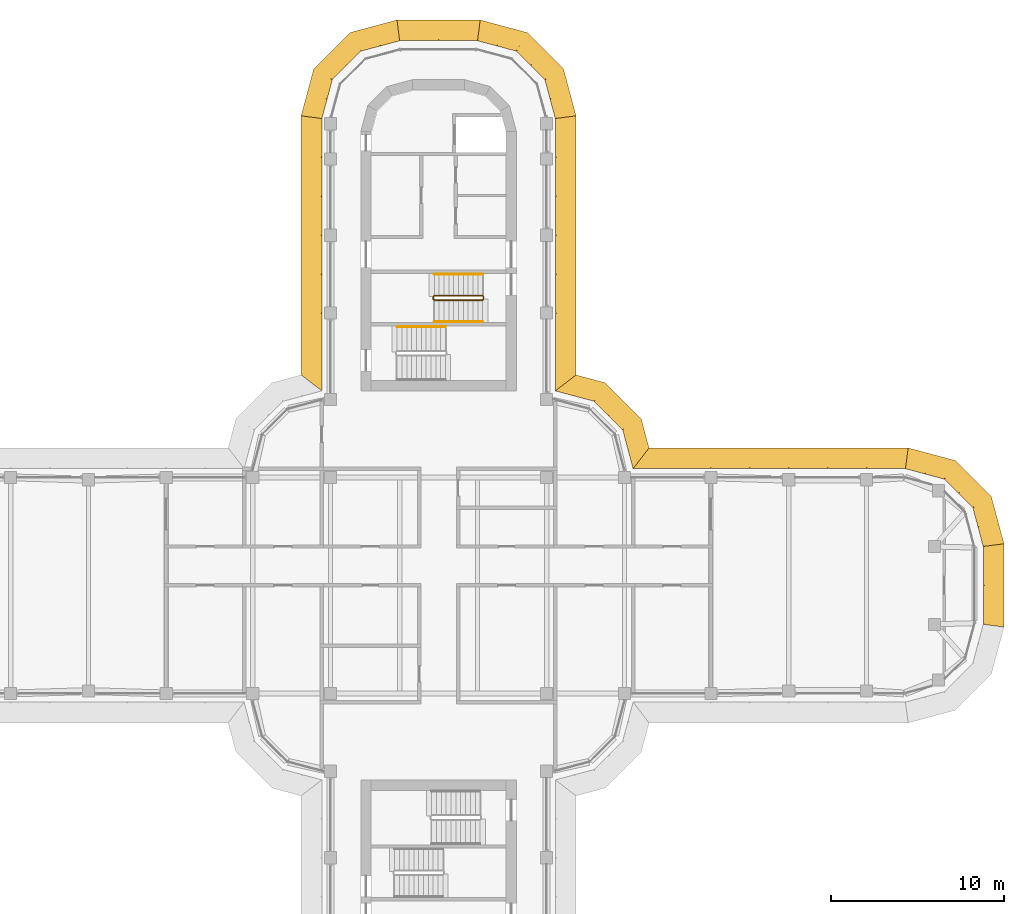
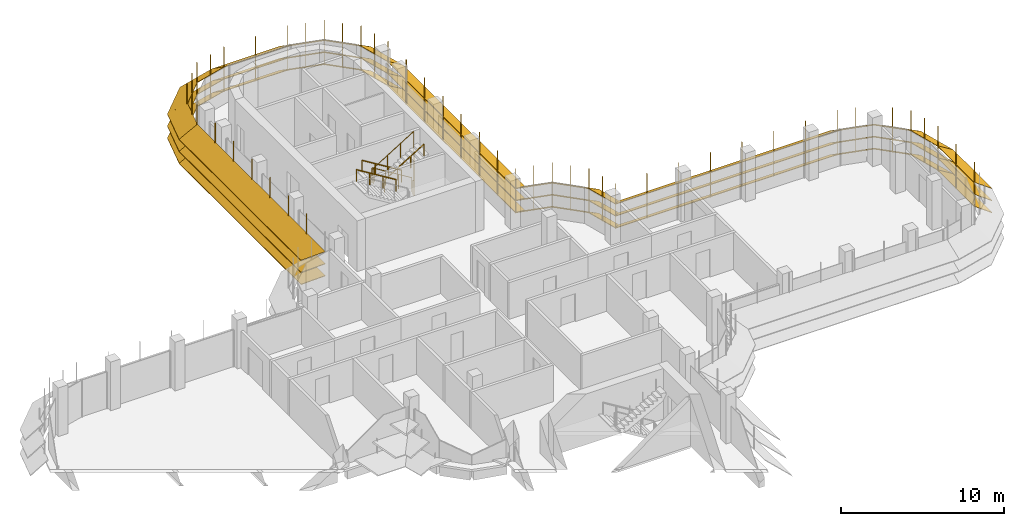
# One storey, part 18 of 18: 9 shading devices, 4 railings.
"""IFC4 building model written with IfcOpenShell, lengths in metres."""

from ifc_helpers import new_model, si_unit, direction, frame, origin, origin_2d, place, context, subcontext, project, spatial, polyline, circle, outline, extrude, faceted_brep, source, transform, mapped, material, type_object, element, save


model = new_model("IFC4")

# Units and contexts
model_context = context("Model", 3, precision=1e-05, world=origin(), true_north=direction((0.0, 1.0)))
body_context = subcontext(model_context, "Body", "Model", "MODEL_VIEW")
ifc_project = project(units=[si_unit("LENGTHUNIT", "METRE"), si_unit("AREAUNIT", "SQUARE_METRE"), si_unit("VOLUMEUNIT", "CUBIC_METRE"), si_unit("PLANEANGLEUNIT", "RADIAN"), si_unit("MASSUNIT", "GRAM", prefix="KILO")], contexts=[model_context])

# Site, building, storey
site_placement = place(None, origin())
site = spatial("IfcSite", under=ifc_project, at=site_placement, CompositionType="ELEMENT")
building_placement = place(site_placement, origin())
building = spatial("IfcBuilding", under=site, at=building_placement, Name="Zarbagh Exchange Tower", CompositionType="ELEMENT")
storey_placement = place(building_placement, frame((0.0, 0.0, 214.39990234375)))
storey = spatial("IfcBuildingStorey", under=building, at=storey_placement, Name="L52", CompositionType="ELEMENT", Elevation=214.39990234375)

# Railings
ifc_material_1 = material(Name="Stainless steel", Category="steel")
railing_type_1 = type_object("IfcRailingType", Name="Stair guard 1100 mm", PredefinedType="GUARDRAIL", material=ifc_material_1)
railing_1_placement = place(storey_placement, frame((2.550048828125, 16.75, 0.1728515625)))
element("IfcRailing", 1, at=railing_1_placement, inside=storey, type_object=railing_type_1, Name="ST1 stair guard 1", PredefinedType="GUARDRAIL", context=body_context, shape_type="SweptSolid", body=[
    extrude(circle(Radius=0.02392578125, at=origin_2d()), frame((0.0, 0.0, 1.076171875), z_axis=(-0.851089632645, 0.0, 0.525020415988), x_axis=(0.0, -1.0, 0.0)), (0.0, 0.0, 1.0), 3.2900390625),
    extrude(circle(Radius=0.02392578125, at=origin_2d()), frame((-2.800048828125, 0.0, 2.80322265625), z_axis=(-0.707106781187, -0.707106781187, 0.0), x_axis=(0.707106781187, -0.707106781187, 0.0)), (0.0, 0.0, 1.0), 0.07080078125),
    extrude(circle(Radius=0.02392578125, at=origin_2d()), frame((-2.85009765625, -0.050048828125, 2.80322265625), z_axis=(0.0, -1.0, 0.0), x_axis=(1.0, 0.0, 0.0)), (0.0, 0.0, 1.0), 0.14990234375),
    extrude(circle(Radius=0.02392578125, at=origin_2d()), frame((-2.85009765625, -0.199951171875, 2.80322265625), z_axis=(0.268277960024, -0.268277960024, 0.925231793839), x_axis=(0.707106781187, 0.707106781187, 0.0)), (0.0, 0.0, 1.0), 0.1865234375),
    extrude(circle(Radius=0.02392578125, at=origin_2d()), frame((-2.800048828125, -0.25, 2.97607421875), z_axis=(0.851089632645, 0.0, 0.525020415988), x_axis=(0.0, 1.0, 0.0)), (0.0, 0.0, 1.0), 3.2900390625),
    extrude(circle(Radius=0.02392578125, at=origin_2d()), frame((0.0, -0.25, 4.703125), z_axis=(0.013168290981, 0.013168290981, -0.999826581076), x_axis=(-0.707106781187, 0.707106781187, 0.0)), (0.0, 0.0, 1.0), 3.80078125),
    extrude(circle(Radius=0.02392578125, at=origin_2d()), frame((0.050048828125, -0.199951171875, 0.9033203125), z_axis=(0.0, 1.0, 0.0), x_axis=(-1.0, 0.0, 0.0)), (0.0, 0.0, 1.0), 0.14990234375),
    extrude(circle(Radius=0.02099609375, at=origin_2d()), origin(), (0.0, 0.0, 1.0), 1.052001953125),
    extrude(circle(Radius=0.02099609375, at=origin_2d()), frame((-0.933349609375, 0.0, 0.57568359375)), (0.0, 0.0, 1.0), 1.052001953125),
    extrude(circle(Radius=0.02099609375, at=origin_2d()), frame((-1.86669921875, 0.0, 1.151611328125)), (0.0, 0.0, 1.0), 1.052001953125),
    extrude(circle(Radius=0.02099609375, at=origin_2d()), frame((-2.800048828125, 0.0, 1.727294921875)), (0.0, 0.0, 1.0), 1.052001953125),
    extrude(circle(Radius=0.02099609375, at=origin_2d()), frame((-2.85009765625, -0.050048828125, 1.727294921875)), (0.0, 0.0, 1.0), 1.052001953125),
    extrude(circle(Radius=0.02099609375, at=origin_2d()), frame((-2.85009765625, -0.199951171875, 1.727294921875)), (0.0, 0.0, 1.0), 1.052001953125),
    extrude(circle(Radius=0.02099609375, at=origin_2d()), frame((-2.800048828125, -0.25, 1.89990234375)), (0.0, 0.0, 1.0), 1.052001953125),
    extrude(circle(Radius=0.02099609375, at=origin_2d()), frame((-1.86669921875, -0.25, 2.4755859375)), (0.0, 0.0, 1.0), 1.052001953125),
    extrude(circle(Radius=0.02099609375, at=origin_2d()), frame((-0.933349609375, -0.25, 3.051513671875)), (0.0, 0.0, 1.0), 1.052001953125),
    extrude(circle(Radius=0.02099609375, at=origin_2d()), frame((0.0, -0.25, 3.627197265625)), (0.0, 0.0, 1.0), 1.052001953125),
    extrude(circle(Radius=0.02099609375, at=origin_2d()), frame((0.012451171875, -0.237548828125, 2.67724609375)), (0.0, 0.0, 1.0), 1.052001953125),
    extrude(circle(Radius=0.02099609375, at=origin_2d()), frame((0.02490234375, -0.22509765625, 1.72705078125)), (0.0, 0.0, 1.0), 1.052001953125),
    extrude(circle(Radius=0.02099609375, at=origin_2d()), frame((0.03759765625, -0.21240234375, 0.777099609375)), (0.0, 0.0, 1.0), 1.052001953125),
    extrude(circle(Radius=0.02099609375, at=origin_2d()), frame((0.050048828125, -0.199951171875, -0.1728515625)), (0.0, 0.0, 1.0), 1.052001953125),
    extrude(circle(Radius=0.02099609375, at=origin_2d()), frame((0.050048828125, -0.050048828125, -0.1728515625)), (0.0, 0.0, 1.0), 1.052001953125),
])
railing_type_2 = type_object("IfcRailingType", Name="Stair handrail 900 mm", PredefinedType="HANDRAIL", material=ifc_material_1)
railing_2_placement = place(storey_placement, frame((2.550048828125, 18.0, 0.1728515625)))
element("IfcRailing", 2, at=railing_2_placement, inside=storey, type_object=railing_type_2, Name="ST1 stair handrail 1", PredefinedType="HANDRAIL", context=body_context, shape_type="SweptSolid", body=[
    extrude(circle(Radius=0.02392578125, at=origin_2d()), frame((0.0, 0.0, 0.8759765625), z_axis=(-0.851089632645, 0.0, 0.525020415988), x_axis=(0.0, -1.0, 0.0)), (0.0, 0.0, 1.0), 3.2900390625),
    extrude(circle(Radius=0.02099609375, at=origin_2d()), origin(), (0.0, 0.0, 1.0), 0.851806640625),
    extrude(circle(Radius=0.02099609375, at=origin_2d()), frame((-0.933349609375, 0.0, 0.57568359375)), (0.0, 0.0, 1.0), 0.851806640625),
    extrude(circle(Radius=0.02099609375, at=origin_2d()), frame((-1.86669921875, 0.0, 1.151611328125)), (0.0, 0.0, 1.0), 0.851806640625),
    extrude(circle(Radius=0.02099609375, at=origin_2d()), frame((-2.800048828125, 0.0, 1.727294921875)), (0.0, 0.0, 1.0), 0.851806640625),
])
railing_3_placement = place(storey_placement, frame((-0.25, 15.25, 2.07275390625)))
element("IfcRailing", 3, at=railing_3_placement, inside=storey, type_object=railing_type_2, Name="ST1 stair handrail 2", PredefinedType="HANDRAIL", context=body_context, shape_type="SweptSolid", body=[
    extrude(circle(Radius=0.02392578125, at=origin_2d()), frame((0.0, 0.0, 0.8759765625), z_axis=(0.851089632645, 0.0, 0.525020415988), x_axis=(0.0, 1.0, 0.0)), (0.0, 0.0, 1.0), 3.2900390625),
    extrude(circle(Radius=0.02099609375, at=origin_2d()), origin(), (0.0, 0.0, 1.0), 0.851806640625),
    extrude(circle(Radius=0.02099609375, at=origin_2d()), frame((0.933349609375, 0.0, 0.57568359375)), (0.0, 0.0, 1.0), 0.851806640625),
    extrude(circle(Radius=0.02099609375, at=origin_2d()), frame((1.86669921875, 0.0, 1.151611328125)), (0.0, 0.0, 1.0), 0.851806640625),
    extrude(circle(Radius=0.02099609375, at=origin_2d()), frame((2.800048828125, 0.0, 1.727294921875)), (0.0, 0.0, 1.0), 0.851806640625),
])
railing_4_placement = place(storey_placement, frame((0.39990234375, 14.949951171875, 2.07275390625)))
element("IfcRailing", 4, at=railing_4_placement, inside=storey, type_object=railing_type_2, Name="ST2 stair handrail 2", PredefinedType="HANDRAIL", context=body_context, shape_type="SweptSolid", body=[
    extrude(circle(Radius=0.02392578125, at=origin_2d()), frame((0.0, 0.0, 0.8759765625), z_axis=(-0.851069175582, 0.0, 0.525053576669), x_axis=(0.0, -1.0, 0.0)), (0.0, 0.0, 1.0), 3.289794921875),
    extrude(circle(Radius=0.02099609375, at=origin_2d()), origin(), (0.0, 0.0, 1.0), 0.851806640625),
    extrude(circle(Radius=0.02099609375, at=origin_2d()), frame((-0.933349609375, 0.0, 0.57568359375)), (0.0, 0.0, 1.0), 0.851806640625),
    extrude(circle(Radius=0.02099609375, at=origin_2d()), frame((-1.866455078125, 0.0, 1.151611328125)), (0.0, 0.0, 1.0), 0.851806640625),
    extrude(circle(Radius=0.02099609375, at=origin_2d()), frame((-2.7998046875, 0.0, 1.727294921875)), (0.0, 0.0, 1.0), 0.851806640625),
])

# Shading devices
ifc_material_2 = material(Name="Anodised aluminium blades and brackets", Category="aluminium")
shading_device_type = type_object("IfcShadingDeviceType", Name="SUNSHADE louvre band, 33.75 degree blades", PredefinedType="JALOUSIE", material=ifc_material_2)
shared_shape_1 = source(origin(), body_context, "Body", "Brep", [
    faceted_brep([(0.0, 0.0, 0.0), (0.0, 0.0, -0.048095703125), (-0.157958984375, -1.199951171875, -0.849853515625), (-0.157958984375, -1.199951171875, -0.8017578125), (2.65087890625, -1.199951171875, -0.8017578125), (2.65087890625, -1.199951171875, -0.849853515625), (2.329345703125, 0.0, -0.048095703125), (2.329345703125, 0.0, 0.0)], [[[0, 1, 2, 3]], [[4, 5, 6, 7]], [[0, 7, 6, 1]], [[1, 6, 5, 2]], [[2, 5, 4, 3]], [[3, 4, 7, 0]]]),
])
shared_shape_2 = source(origin(), body_context, "Body", "Brep", [
    faceted_brep([(0.0, 0.0, 0.0), (0.0, 0.0, -0.048095703125), (-0.321533203125, -1.199951171875, -0.849853515625), (-0.321533203125, -1.199951171875, -0.8017578125), (2.65087890625, -1.199951171875, -0.8017578125), (2.65087890625, -1.199951171875, -0.849853515625), (2.329345703125, 0.0, -0.048095703125), (2.329345703125, 0.0, 0.0)], [[[0, 1, 2, 3]], [[4, 5, 6, 7]], [[0, 7, 6, 1]], [[1, 6, 5, 2]], [[2, 5, 4, 3]], [[3, 4, 7, 0]]]),
])
shared_shape_3 = source(origin(), body_context, "Body", "Brep", [
    faceted_brep([(0.0, 0.0, 0.0), (0.0, 0.0, -0.048095703125), (-0.321533203125, -1.199951171875, -0.849853515625), (-0.321533203125, -1.199951171875, -0.8017578125), (2.4873046875, -1.199951171875, -0.8017578125), (2.4873046875, -1.199951171875, -0.849853515625), (2.329345703125, 0.0, -0.048095703125), (2.329345703125, 0.0, 0.0)], [[[0, 1, 2, 3]], [[4, 5, 6, 7]], [[0, 7, 6, 1]], [[1, 6, 5, 2]], [[2, 5, 4, 3]], [[3, 4, 7, 0]]]),
])
shared_shape_4 = source(origin(), body_context, "Body", "SweptSolid", [
    extrude(outline(polyline([(0.0, -0.012451171875), (0.06005859375, -0.012451171875), (0.06005859375, 0.012451171875), (0.0, 0.012451171875), (0.0, -0.012451171875)])), origin(), (0.0, 0.0, 1.0), 3.358154296875),
])
placement = place(storey_placement, origin())
element("IfcShadingDevice", 5, at=placement, inside=storey, type_object=shading_device_type, Name="SS33 sunshade band", PredefinedType="JALOUSIE", context=body_context, shape_type="MappedRepresentation", body=[
    mapped(shared_shape_1, transform((31.5, 2.25, 2.300048828125), x_axis=(-0.258824779902, 0.965924289636, 0.0), y_axis=(-0.965924289636, -0.258824779902, 0.0), z_axis=(0.0, 0.0, 1.0))),
    mapped(shared_shape_1, transform((31.5, 2.25, 1.400146484375), x_axis=(-0.258824779902, 0.965924289636, 0.0), y_axis=(-0.965924289636, -0.258824779902, 0.0), z_axis=(0.0, 0.0, 1.0))),
    mapped(shared_shape_1, transform((31.5, 2.25, 0.5), x_axis=(-0.258824779902, 0.965924289636, 0.0), y_axis=(-0.965924289636, -0.258824779902, 0.0), z_axis=(0.0, 0.0, 1.0))),
    mapped(shared_shape_2, transform((30.897216796875, 4.5, 2.300048828125), x_axis=(-0.707106781187, 0.707106781187, 0.0), y_axis=(-0.707106781187, -0.707106781187, 0.0), z_axis=(0.0, 0.0, 1.0))),
    mapped(shared_shape_2, transform((30.897216796875, 4.5, 1.400146484375), x_axis=(-0.707106781187, 0.707106781187, 0.0), y_axis=(-0.707106781187, -0.707106781187, 0.0), z_axis=(0.0, 0.0, 1.0))),
    mapped(shared_shape_2, transform((30.897216796875, 4.5, 0.5), x_axis=(-0.707106781187, 0.707106781187, 0.0), y_axis=(-0.707106781187, -0.707106781187, 0.0), z_axis=(0.0, 0.0, 1.0))),
    mapped(shared_shape_3, transform((29.25, 6.147216796875, 2.300048828125), x_axis=(-0.965924289636, 0.258824779902, 0.0), y_axis=(-0.258824779902, -0.965924289636, 0.0), z_axis=(0.0, 0.0, 1.0))),
    mapped(shared_shape_3, transform((29.25, 6.147216796875, 1.400146484375), x_axis=(-0.965924289636, 0.258824779902, 0.0), y_axis=(-0.258824779902, -0.965924289636, 0.0), z_axis=(0.0, 0.0, 1.0))),
    mapped(shared_shape_3, transform((29.25, 6.147216796875, 0.5), x_axis=(-0.965924289636, 0.258824779902, 0.0), y_axis=(-0.258824779902, -0.965924289636, 0.0), z_axis=(0.0, 0.0, 1.0))),
    mapped(shared_shape_4, transform((31.5, 2.25, 0.421875), x_axis=(0.991444457092, 0.130529263012, 0.0), y_axis=(-0.130529263012, 0.991444457092, 0.0), z_axis=(0.0, 0.0, 1.0))),
    mapped(shared_shape_4, transform((31.198486328125, 3.375, 0.421875), x_axis=(0.96592421511, 0.258825058029, 0.0), y_axis=(-0.258825058029, 0.96592421511, 0.0), z_axis=(0.0, 0.0, 1.0))),
    mapped(shared_shape_4, transform((30.897216796875, 4.5, 0.421875), x_axis=(0.866023812018, 0.50000275701, 0.0), y_axis=(-0.50000275701, 0.866023812018, 0.0), z_axis=(0.0, 0.0, 1.0))),
    mapped(shared_shape_4, transform((30.073486328125, 5.323486328125, 0.421875), x_axis=(0.707106781187, 0.707106781187, 0.0), y_axis=(-0.707106781187, 0.707106781187, 0.0), z_axis=(0.0, 0.0, 1.0))),
    mapped(shared_shape_4, transform((29.25, 6.147216796875, 0.421875), x_axis=(0.50000275701, 0.866023812018, 0.0), y_axis=(-0.866023812018, 0.50000275701, 0.0), z_axis=(0.0, 0.0, 1.0))),
    mapped(shared_shape_4, transform((28.125, 6.448486328125, 0.421875), x_axis=(0.258825058029, 0.96592421511, 0.0), y_axis=(-0.96592421511, 0.258825058029, 0.0), z_axis=(0.0, 0.0, 1.0))),
])
element("IfcShadingDevice", 6, at=placement, inside=storey, type_object=shading_device_type, Name="SS26 sunshade band", PredefinedType="JALOUSIE", context=body_context, shape_type="MappedRepresentation", body=[
    mapped(shared_shape_1, transform((6.75, 27.0, 2.300048828125), x_axis=(-0.258824779902, 0.965924289636, 0.0), y_axis=(-0.965924289636, -0.258824779902, 0.0), z_axis=(0.0, 0.0, 1.0))),
    mapped(shared_shape_1, transform((6.75, 27.0, 1.400146484375), x_axis=(-0.258824779902, 0.965924289636, 0.0), y_axis=(-0.965924289636, -0.258824779902, 0.0), z_axis=(0.0, 0.0, 1.0))),
    mapped(shared_shape_1, transform((6.75, 27.0, 0.5), x_axis=(-0.258824779902, 0.965924289636, 0.0), y_axis=(-0.965924289636, -0.258824779902, 0.0), z_axis=(0.0, 0.0, 1.0))),
    mapped(shared_shape_2, transform((6.147216796875, 29.25, 2.300048828125), x_axis=(-0.707106781187, 0.707106781187, 0.0), y_axis=(-0.707106781187, -0.707106781187, 0.0), z_axis=(0.0, 0.0, 1.0))),
    mapped(shared_shape_2, transform((6.147216796875, 29.25, 1.400146484375), x_axis=(-0.707106781187, 0.707106781187, 0.0), y_axis=(-0.707106781187, -0.707106781187, 0.0), z_axis=(0.0, 0.0, 1.0))),
    mapped(shared_shape_2, transform((6.147216796875, 29.25, 0.5), x_axis=(-0.707106781187, 0.707106781187, 0.0), y_axis=(-0.707106781187, -0.707106781187, 0.0), z_axis=(0.0, 0.0, 1.0))),
    mapped(shared_shape_3, transform((4.5, 30.897216796875, 2.300048828125), x_axis=(-0.965924289636, 0.258824779902, 0.0), y_axis=(-0.258824779902, -0.965924289636, 0.0), z_axis=(0.0, 0.0, 1.0))),
    mapped(shared_shape_3, transform((4.5, 30.897216796875, 1.400146484375), x_axis=(-0.965924289636, 0.258824779902, 0.0), y_axis=(-0.258824779902, -0.965924289636, 0.0), z_axis=(0.0, 0.0, 1.0))),
    mapped(shared_shape_3, transform((4.5, 30.897216796875, 0.5), x_axis=(-0.965924289636, 0.258824779902, 0.0), y_axis=(-0.258824779902, -0.965924289636, 0.0), z_axis=(0.0, 0.0, 1.0))),
    mapped(shared_shape_4, transform((6.75, 27.0, 0.421875), x_axis=(0.991444457092, 0.130529263012, 0.0), y_axis=(-0.130529263012, 0.991444457092, 0.0), z_axis=(0.0, 0.0, 1.0))),
    mapped(shared_shape_4, transform((6.448486328125, 28.125, 0.421875), x_axis=(0.96592421511, 0.258825058029, 0.0), y_axis=(-0.258825058029, 0.96592421511, 0.0), z_axis=(0.0, 0.0, 1.0))),
    mapped(shared_shape_4, transform((6.147216796875, 29.25, 0.421875), x_axis=(0.866023812018, 0.50000275701, 0.0), y_axis=(-0.50000275701, 0.866023812018, 0.0), z_axis=(0.0, 0.0, 1.0))),
    mapped(shared_shape_4, transform((5.323486328125, 30.073486328125, 0.421875), x_axis=(0.707106781187, 0.707106781187, 0.0), y_axis=(-0.707106781187, 0.707106781187, 0.0), z_axis=(0.0, 0.0, 1.0))),
    mapped(shared_shape_4, transform((4.5, 30.897216796875, 0.421875), x_axis=(0.50000275701, 0.866023812018, 0.0), y_axis=(-0.866023812018, 0.50000275701, 0.0), z_axis=(0.0, 0.0, 1.0))),
    mapped(shared_shape_4, transform((3.375, 31.198486328125, 0.421875), x_axis=(0.258825058029, 0.96592421511, 0.0), y_axis=(-0.96592421511, 0.258825058029, 0.0), z_axis=(0.0, 0.0, 1.0))),
])
element("IfcShadingDevice", 7, at=placement, inside=storey, type_object=shading_device_type, Name="SS28 sunshade band", PredefinedType="JALOUSIE", context=body_context, shape_type="MappedRepresentation", body=[
    mapped(shared_shape_1, transform((-2.25, 31.5, 2.300048828125), x_axis=(-0.965924289636, -0.258824779902, 0.0), y_axis=(0.258824779902, -0.965924289636, 0.0), z_axis=(0.0, 0.0, 1.0))),
    mapped(shared_shape_1, transform((-2.25, 31.5, 1.400146484375), x_axis=(-0.965924289636, -0.258824779902, 0.0), y_axis=(0.258824779902, -0.965924289636, 0.0), z_axis=(0.0, 0.0, 1.0))),
    mapped(shared_shape_1, transform((-2.25, 31.5, 0.5), x_axis=(-0.965924289636, -0.258824779902, 0.0), y_axis=(0.258824779902, -0.965924289636, 0.0), z_axis=(0.0, 0.0, 1.0))),
    mapped(shared_shape_2, transform((-4.5, 30.897216796875, 2.300048828125), x_axis=(-0.707106781187, -0.707106781187, 0.0), y_axis=(0.707106781187, -0.707106781187, 0.0), z_axis=(0.0, 0.0, 1.0))),
    mapped(shared_shape_2, transform((-4.5, 30.897216796875, 1.400146484375), x_axis=(-0.707106781187, -0.707106781187, 0.0), y_axis=(0.707106781187, -0.707106781187, 0.0), z_axis=(0.0, 0.0, 1.0))),
    mapped(shared_shape_2, transform((-4.5, 30.897216796875, 0.5), x_axis=(-0.707106781187, -0.707106781187, 0.0), y_axis=(0.707106781187, -0.707106781187, 0.0), z_axis=(0.0, 0.0, 1.0))),
    mapped(shared_shape_3, transform((-6.147216796875, 29.25, 2.300048828125), x_axis=(-0.258824779902, -0.965924289636, 0.0), y_axis=(0.965924289636, -0.258824779902, 0.0), z_axis=(0.0, 0.0, 1.0))),
    mapped(shared_shape_3, transform((-6.147216796875, 29.25, 1.400146484375), x_axis=(-0.258824779902, -0.965924289636, 0.0), y_axis=(0.965924289636, -0.258824779902, 0.0), z_axis=(0.0, 0.0, 1.0))),
    mapped(shared_shape_3, transform((-6.147216796875, 29.25, 0.5), x_axis=(-0.258824779902, -0.965924289636, 0.0), y_axis=(0.965924289636, -0.258824779902, 0.0), z_axis=(0.0, 0.0, 1.0))),
    mapped(shared_shape_4, transform((-2.25, 31.5, 0.421875), x_axis=(-0.130529263012, 0.991444457092, 0.0), y_axis=(-0.991444457092, -0.130529263012, 0.0), z_axis=(0.0, 0.0, 1.0))),
    mapped(shared_shape_4, transform((-3.375, 31.198486328125, 0.421875), x_axis=(-0.258825058029, 0.96592421511, 0.0), y_axis=(-0.96592421511, -0.258825058029, 0.0), z_axis=(0.0, 0.0, 1.0))),
    mapped(shared_shape_4, transform((-4.5, 30.897216796875, 0.421875), x_axis=(-0.50000275701, 0.866023812018, 0.0), y_axis=(-0.866023812018, -0.50000275701, 0.0), z_axis=(0.0, 0.0, 1.0))),
    mapped(shared_shape_4, transform((-5.323486328125, 30.073486328125, 0.421875), x_axis=(-0.707106781187, 0.707106781187, 0.0), y_axis=(-0.707106781187, -0.707106781187, 0.0), z_axis=(0.0, 0.0, 1.0))),
    mapped(shared_shape_4, transform((-6.147216796875, 29.25, 0.421875), x_axis=(-0.866023812018, 0.50000275701, 0.0), y_axis=(-0.50000275701, -0.866023812018, 0.0), z_axis=(0.0, 0.0, 1.0))),
    mapped(shared_shape_4, transform((-6.448486328125, 28.125, 0.421875), x_axis=(-0.96592421511, 0.258825058029, 0.0), y_axis=(-0.258825058029, -0.96592421511, 0.0), z_axis=(0.0, 0.0, 1.0))),
])
shared_shape_5 = source(origin(), body_context, "Body", "Brep", [
    faceted_brep([(0.0, 0.0, 0.0), (0.0, 0.0, -0.048095703125), (0.9208984375, -1.199951171875, -0.849853515625), (0.9208984375, -1.199951171875, -0.8017578125), (2.65087890625, -1.199951171875, -0.8017578125), (2.65087890625, -1.199951171875, -0.849853515625), (2.329345703125, 0.0, -0.048095703125), (2.329345703125, 0.0, 0.0)], [[[0, 1, 2, 3]], [[4, 5, 6, 7]], [[0, 7, 6, 1]], [[1, 6, 5, 2]], [[2, 5, 4, 3]], [[3, 4, 7, 0]]]),
])
shared_shape_6 = source(origin(), body_context, "Body", "Brep", [
    faceted_brep([(0.0, 0.0, 0.0), (0.0, 0.0, -0.048095703125), (-0.321533203125, -1.199951171875, -0.849853515625), (-0.321533203125, -1.199951171875, -0.8017578125), (1.40869140625, -1.199951171875, -0.8017578125), (1.40869140625, -1.199951171875, -0.849853515625), (2.329345703125, 0.0, -0.048095703125), (2.329345703125, 0.0, 0.0)], [[[0, 1, 2, 3]], [[4, 5, 6, 7]], [[0, 7, 6, 1]], [[1, 6, 5, 2]], [[2, 5, 4, 3]], [[3, 4, 7, 0]]]),
])
element("IfcShadingDevice", 8, at=placement, inside=storey, type_object=shading_device_type, Name="SS09 sunshade band", PredefinedType="JALOUSIE", context=body_context, shape_type="MappedRepresentation", body=[
    mapped(shared_shape_5, transform((11.25, 6.75, 2.300048828125), x_axis=(-0.258824779902, 0.965924289636, 0.0), y_axis=(-0.965924289636, -0.258824779902, 0.0), z_axis=(0.0, 0.0, 1.0))),
    mapped(shared_shape_5, transform((11.25, 6.75, 1.400146484375), x_axis=(-0.258824779902, 0.965924289636, 0.0), y_axis=(-0.965924289636, -0.258824779902, 0.0), z_axis=(0.0, 0.0, 1.0))),
    mapped(shared_shape_5, transform((11.25, 6.75, 0.5), x_axis=(-0.258824779902, 0.965924289636, 0.0), y_axis=(-0.965924289636, -0.258824779902, 0.0), z_axis=(0.0, 0.0, 1.0))),
    mapped(shared_shape_2, transform((10.647216796875, 9.0, 2.300048828125), x_axis=(-0.707106781187, 0.707106781187, 0.0), y_axis=(-0.707106781187, -0.707106781187, 0.0), z_axis=(0.0, 0.0, 1.0))),
    mapped(shared_shape_2, transform((10.647216796875, 9.0, 1.400146484375), x_axis=(-0.707106781187, 0.707106781187, 0.0), y_axis=(-0.707106781187, -0.707106781187, 0.0), z_axis=(0.0, 0.0, 1.0))),
    mapped(shared_shape_2, transform((10.647216796875, 9.0, 0.5), x_axis=(-0.707106781187, 0.707106781187, 0.0), y_axis=(-0.707106781187, -0.707106781187, 0.0), z_axis=(0.0, 0.0, 1.0))),
    mapped(shared_shape_6, transform((9.0, 10.647216796875, 2.300048828125), x_axis=(-0.965924289636, 0.258824779902, 0.0), y_axis=(-0.258824779902, -0.965924289636, 0.0), z_axis=(0.0, 0.0, 1.0))),
    mapped(shared_shape_6, transform((9.0, 10.647216796875, 1.400146484375), x_axis=(-0.965924289636, 0.258824779902, 0.0), y_axis=(-0.258824779902, -0.965924289636, 0.0), z_axis=(0.0, 0.0, 1.0))),
    mapped(shared_shape_6, transform((9.0, 10.647216796875, 0.5), x_axis=(-0.965924289636, 0.258824779902, 0.0), y_axis=(-0.258824779902, -0.965924289636, 0.0), z_axis=(0.0, 0.0, 1.0))),
    mapped(shared_shape_4, transform((11.25, 6.75, 0.421875), x_axis=(0.608758892, 0.793355287, 0.0), y_axis=(-0.793355287, 0.608758892, 0.0), z_axis=(0.0, 0.0, 1.0))),
    mapped(shared_shape_4, transform((10.948486328125, 7.875, 0.421875), x_axis=(0.96592421511, 0.258825058029, 0.0), y_axis=(-0.258825058029, 0.96592421511, 0.0), z_axis=(0.0, 0.0, 1.0))),
    mapped(shared_shape_4, transform((10.647216796875, 9.0, 0.421875), x_axis=(0.866023812018, 0.50000275701, 0.0), y_axis=(-0.50000275701, 0.866023812018, 0.0), z_axis=(0.0, 0.0, 1.0))),
    mapped(shared_shape_4, transform((9.823486328125, 9.823486328125, 0.421875), x_axis=(0.707106781187, 0.707106781187, 0.0), y_axis=(-0.707106781187, 0.707106781187, 0.0), z_axis=(0.0, 0.0, 1.0))),
    mapped(shared_shape_4, transform((9.0, 10.647216796875, 0.421875), x_axis=(0.50000275701, 0.866023812018, 0.0), y_axis=(-0.866023812018, 0.50000275701, 0.0), z_axis=(0.0, 0.0, 1.0))),
    mapped(shared_shape_4, transform((7.875, 10.948486328125, 0.421875), x_axis=(0.258825058029, 0.96592421511, 0.0), y_axis=(-0.96592421511, 0.258825058029, 0.0), z_axis=(0.0, 0.0, 1.0))),
])
shared_shape_7 = source(origin(), body_context, "Body", "Brep", [
    faceted_brep([(0.0, 0.0, 0.0), (0.0, 0.0, -0.048095703125), (-0.157958984375, -1.199951171875, -0.849853515625), (-0.157958984375, -1.199951171875, -0.8017578125), (4.657958984375, -1.199951171875, -0.8017578125), (4.657958984375, -1.199951171875, -0.849853515625), (4.5, 0.0, -0.048095703125), (4.5, 0.0, 0.0)], [[[0, 1, 2, 3]], [[4, 5, 6, 7]], [[0, 7, 6, 1]], [[1, 6, 5, 2]], [[2, 5, 4, 3]], [[3, 4, 7, 0]]]),
])
element("IfcShadingDevice", 9, at=placement, inside=storey, type_object=shading_device_type, Name="SS32 sunshade band", PredefinedType="JALOUSIE", context=body_context, shape_type="MappedRepresentation", body=[
    mapped(shared_shape_7, transform((31.5, -2.25, 2.300048828125), x_axis=(0.0, 1.0, 0.0), y_axis=(-1.0, 0.0, 0.0), z_axis=(0.0, 0.0, 1.0))),
    mapped(shared_shape_7, transform((31.5, -2.25, 1.400146484375), x_axis=(0.0, 1.0, 0.0), y_axis=(-1.0, 0.0, 0.0), z_axis=(0.0, 0.0, 1.0))),
    mapped(shared_shape_7, transform((31.5, -2.25, 0.5), x_axis=(0.0, 1.0, 0.0), y_axis=(-1.0, 0.0, 0.0), z_axis=(0.0, 0.0, 1.0))),
    mapped(shared_shape_4, transform((31.5, -2.25, 0.421875), x_axis=(0.991444457092, -0.130529263012, 0.0), y_axis=(0.130529263012, 0.991444457092, 0.0), z_axis=(0.0, 0.0, 1.0))),
    mapped(shared_shape_4, transform((31.5, 0.0, 0.421875), x_axis=(1.0, 0.0, 0.0), y_axis=(0.0, 1.0, 0.0), z_axis=(0.0, 0.0, 1.0))),
])
shared_shape_8 = source(origin(), body_context, "Body", "Brep", [
    faceted_brep([(0.0, 0.0, 0.0), (0.0, 0.0, -0.048095703125), (-0.157958984375, -1.199951171875, -0.849853515625), (-0.157958984375, -1.199951171875, -0.8017578125), (14.8291015625, -1.199951171875, -0.8017578125), (14.8291015625, -1.199951171875, -0.849853515625), (15.75, 0.0, -0.048095703125), (15.75, 0.0, 0.0)], [[[0, 1, 2, 3]], [[4, 5, 6, 7]], [[0, 7, 6, 1]], [[1, 6, 5, 2]], [[2, 5, 4, 3]], [[3, 4, 7, 0]]]),
])
element("IfcShadingDevice", 10, at=placement, inside=storey, type_object=shading_device_type, Name="SS34 sunshade band", PredefinedType="JALOUSIE", context=body_context, shape_type="MappedRepresentation", body=[
    mapped(shared_shape_8, transform((27.0, 6.75, 2.300048828125), x_axis=(-1.0, 0.0, 0.0), y_axis=(0.0, -1.0, 0.0), z_axis=(0.0, 0.0, 1.0))),
    mapped(shared_shape_8, transform((27.0, 6.75, 1.400146484375), x_axis=(-1.0, 0.0, 0.0), y_axis=(0.0, -1.0, 0.0), z_axis=(0.0, 0.0, 1.0))),
    mapped(shared_shape_8, transform((27.0, 6.75, 0.5), x_axis=(-1.0, 0.0, 0.0), y_axis=(0.0, -1.0, 0.0), z_axis=(0.0, 0.0, 1.0))),
    mapped(shared_shape_4, transform((27.0, 6.75, 0.421875), x_axis=(0.130529263012, 0.991444457092, 0.0), y_axis=(-0.991444457092, 0.130529263012, 0.0), z_axis=(0.0, 0.0, 1.0))),
    mapped(shared_shape_4, transform((24.75, 6.75, 0.421875), x_axis=(0.0, 1.0, 0.0), y_axis=(-1.0, 0.0, 0.0), z_axis=(0.0, 0.0, 1.0))),
    mapped(shared_shape_4, transform((22.5, 6.75, 0.421875), x_axis=(0.0, 1.0, 0.0), y_axis=(-1.0, 0.0, 0.0), z_axis=(0.0, 0.0, 1.0))),
    mapped(shared_shape_4, transform((20.25, 6.75, 0.421875), x_axis=(0.0, 1.0, 0.0), y_axis=(-1.0, 0.0, 0.0), z_axis=(0.0, 0.0, 1.0))),
    mapped(shared_shape_4, transform((18.0, 6.75, 0.421875), x_axis=(0.0, 1.0, 0.0), y_axis=(-1.0, 0.0, 0.0), z_axis=(0.0, 0.0, 1.0))),
    mapped(shared_shape_4, transform((15.75, 6.75, 0.421875), x_axis=(0.0, 1.0, 0.0), y_axis=(-1.0, 0.0, 0.0), z_axis=(0.0, 0.0, 1.0))),
    mapped(shared_shape_4, transform((13.5, 6.75, 0.421875), x_axis=(0.0, 1.0, 0.0), y_axis=(-1.0, 0.0, 0.0), z_axis=(0.0, 0.0, 1.0))),
])
shared_shape_9 = source(origin(), body_context, "Body", "Brep", [
    faceted_brep([(0.0, 0.0, 0.0), (0.0, 0.0, -0.048095703125), (0.9208984375, -1.199951171875, -0.849853515625), (0.9208984375, -1.199951171875, -0.8017578125), (15.907958984375, -1.199951171875, -0.8017578125), (15.907958984375, -1.199951171875, -0.849853515625), (15.75, 0.0, -0.048095703125), (15.75, 0.0, 0.0)], [[[0, 1, 2, 3]], [[4, 5, 6, 7]], [[0, 7, 6, 1]], [[1, 6, 5, 2]], [[2, 5, 4, 3]], [[3, 4, 7, 0]]]),
])
element("IfcShadingDevice", 11, at=placement, inside=storey, type_object=shading_device_type, Name="SS25 sunshade band", PredefinedType="JALOUSIE", context=body_context, shape_type="MappedRepresentation", body=[
    mapped(shared_shape_9, transform((6.75, 11.25, 2.300048828125), x_axis=(0.0, 1.0, 0.0), y_axis=(-1.0, 0.0, 0.0), z_axis=(0.0, 0.0, 1.0))),
    mapped(shared_shape_9, transform((6.75, 11.25, 1.400146484375), x_axis=(0.0, 1.0, 0.0), y_axis=(-1.0, 0.0, 0.0), z_axis=(0.0, 0.0, 1.0))),
    mapped(shared_shape_9, transform((6.75, 11.25, 0.5), x_axis=(0.0, 1.0, 0.0), y_axis=(-1.0, 0.0, 0.0), z_axis=(0.0, 0.0, 1.0))),
    mapped(shared_shape_4, transform((6.75, 11.25, 0.421875), x_axis=(0.793355287, 0.608758892, 0.0), y_axis=(-0.608758892, 0.793355287, 0.0), z_axis=(0.0, 0.0, 1.0))),
    mapped(shared_shape_4, transform((6.75, 13.5, 0.421875), x_axis=(1.0, 0.0, 0.0), y_axis=(0.0, 1.0, 0.0), z_axis=(0.0, 0.0, 1.0))),
    mapped(shared_shape_4, transform((6.75, 15.75, 0.421875), x_axis=(1.0, 0.0, 0.0), y_axis=(0.0, 1.0, 0.0), z_axis=(0.0, 0.0, 1.0))),
    mapped(shared_shape_4, transform((6.75, 18.0, 0.421875), x_axis=(1.0, 0.0, 0.0), y_axis=(0.0, 1.0, 0.0), z_axis=(0.0, 0.0, 1.0))),
    mapped(shared_shape_4, transform((6.75, 20.25, 0.421875), x_axis=(1.0, 0.0, 0.0), y_axis=(0.0, 1.0, 0.0), z_axis=(0.0, 0.0, 1.0))),
    mapped(shared_shape_4, transform((6.75, 22.5, 0.421875), x_axis=(1.0, 0.0, 0.0), y_axis=(0.0, 1.0, 0.0), z_axis=(0.0, 0.0, 1.0))),
    mapped(shared_shape_4, transform((6.75, 24.75, 0.421875), x_axis=(1.0, 0.0, 0.0), y_axis=(0.0, 1.0, 0.0), z_axis=(0.0, 0.0, 1.0))),
])
element("IfcShadingDevice", 12, at=placement, inside=storey, type_object=shading_device_type, Name="SS27 sunshade band", PredefinedType="JALOUSIE", context=body_context, shape_type="MappedRepresentation", body=[
    mapped(shared_shape_7, transform((2.25, 31.5, 2.300048828125), x_axis=(-1.0, 0.0, 0.0), y_axis=(0.0, -1.0, 0.0), z_axis=(0.0, 0.0, 1.0))),
    mapped(shared_shape_7, transform((2.25, 31.5, 1.400146484375), x_axis=(-1.0, 0.0, 0.0), y_axis=(0.0, -1.0, 0.0), z_axis=(0.0, 0.0, 1.0))),
    mapped(shared_shape_7, transform((2.25, 31.5, 0.5), x_axis=(-1.0, 0.0, 0.0), y_axis=(0.0, -1.0, 0.0), z_axis=(0.0, 0.0, 1.0))),
    mapped(shared_shape_4, transform((2.25, 31.5, 0.421875), x_axis=(0.130529263012, 0.991444457092, 0.0), y_axis=(-0.991444457092, 0.130529263012, 0.0), z_axis=(0.0, 0.0, 1.0))),
    mapped(shared_shape_4, transform((0.0, 31.5, 0.421875), x_axis=(0.0, 1.0, 0.0), y_axis=(-1.0, 0.0, 0.0), z_axis=(0.0, 0.0, 1.0))),
])
element("IfcShadingDevice", 13, at=placement, inside=storey, type_object=shading_device_type, Name="SS29 sunshade band", PredefinedType="JALOUSIE", context=body_context, shape_type="MappedRepresentation", body=[
    mapped(shared_shape_8, transform((-6.75, 27.0, 2.300048828125), x_axis=(0.0, -1.0, 0.0), y_axis=(1.0, 0.0, 0.0), z_axis=(0.0, 0.0, 1.0))),
    mapped(shared_shape_8, transform((-6.75, 27.0, 1.400146484375), x_axis=(0.0, -1.0, 0.0), y_axis=(1.0, 0.0, 0.0), z_axis=(0.0, 0.0, 1.0))),
    mapped(shared_shape_8, transform((-6.75, 27.0, 0.5), x_axis=(0.0, -1.0, 0.0), y_axis=(1.0, 0.0, 0.0), z_axis=(0.0, 0.0, 1.0))),
    mapped(shared_shape_4, transform((-6.75, 27.0, 0.421875), x_axis=(-0.991444457092, 0.130529263012, 0.0), y_axis=(-0.130529263012, -0.991444457092, 0.0), z_axis=(0.0, 0.0, 1.0))),
    mapped(shared_shape_4, transform((-6.75, 24.75, 0.421875), x_axis=(-1.0, 0.0, 0.0), y_axis=(0.0, -1.0, 0.0), z_axis=(0.0, 0.0, 1.0))),
    mapped(shared_shape_4, transform((-6.75, 22.5, 0.421875), x_axis=(-1.0, 0.0, 0.0), y_axis=(0.0, -1.0, 0.0), z_axis=(0.0, 0.0, 1.0))),
    mapped(shared_shape_4, transform((-6.75, 20.25, 0.421875), x_axis=(-1.0, 0.0, 0.0), y_axis=(0.0, -1.0, 0.0), z_axis=(0.0, 0.0, 1.0))),
    mapped(shared_shape_4, transform((-6.75, 18.0, 0.421875), x_axis=(-1.0, 0.0, 0.0), y_axis=(0.0, -1.0, 0.0), z_axis=(0.0, 0.0, 1.0))),
    mapped(shared_shape_4, transform((-6.75, 15.75, 0.421875), x_axis=(-1.0, 0.0, 0.0), y_axis=(0.0, -1.0, 0.0), z_axis=(0.0, 0.0, 1.0))),
    mapped(shared_shape_4, transform((-6.75, 13.5, 0.421875), x_axis=(-1.0, 0.0, 0.0), y_axis=(0.0, -1.0, 0.0), z_axis=(0.0, 0.0, 1.0))),
])

save(model, "model.ifc")
